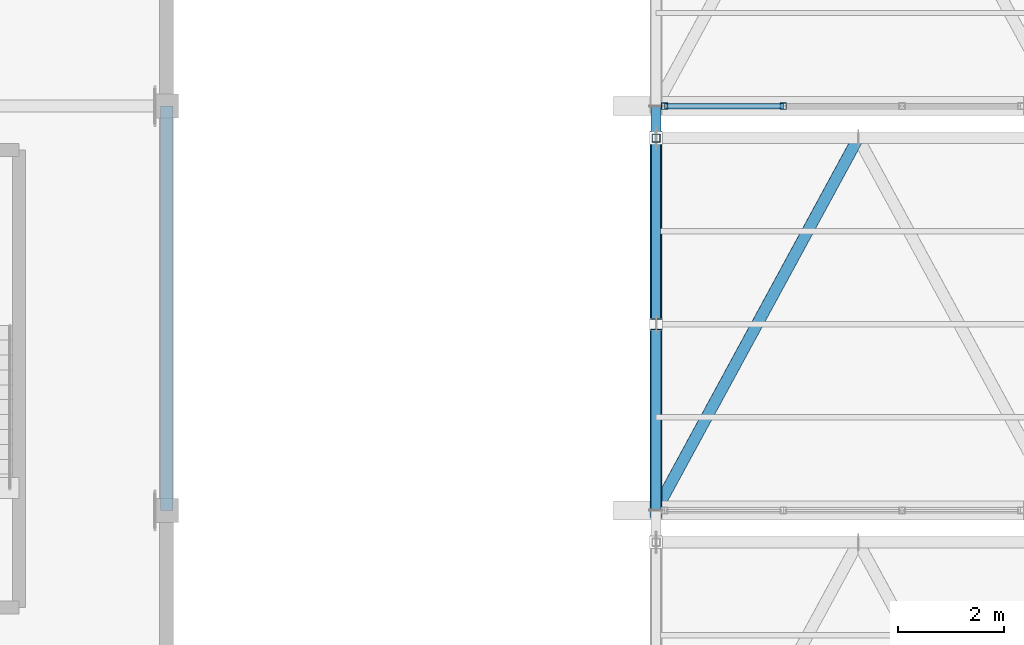
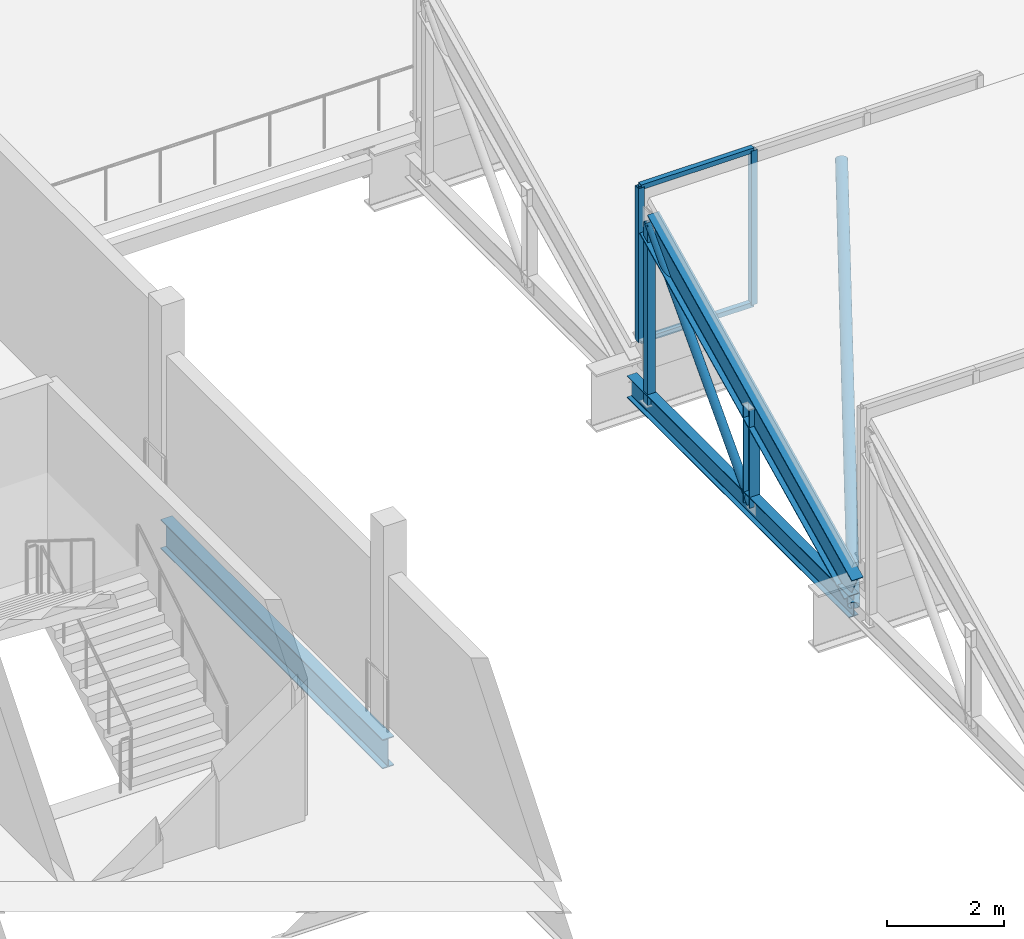
# One storey, part 11 of 57: 10 members, 1 beam, 1 element without a shape of its own.
"""IFC4 building model written with IfcOpenShell, lengths in metres."""

from ifc_helpers import new_model, si_unit, direction, frame, origin, origin_2d, place, context, subcontext, project, spatial, hollow_rectangle, hollow_circle, i_section, extrude, material, material_profile, profile_set, type_object, element, aggregate, save


model = new_model("IFC4")

# Units and contexts
model_context = context("Model", 3, precision=1e-05, world=origin(), true_north=direction((0.0, 1.0)))
body_context = subcontext(model_context, "Body", "Model", "MODEL_VIEW")
ifc_project = project(units=[si_unit("LENGTHUNIT", "METRE"), si_unit("AREAUNIT", "SQUARE_METRE"), si_unit("VOLUMEUNIT", "CUBIC_METRE"), si_unit("PLANEANGLEUNIT", "RADIAN"), si_unit("MASSUNIT", "GRAM", prefix="KILO")], contexts=[model_context])

# Site, building, storey
site_placement = place(None, origin())
site = spatial("IfcSite", under=ifc_project, at=site_placement, CompositionType="ELEMENT")
building_placement = place(site_placement, origin())
building = spatial("IfcBuilding", under=site, at=building_placement, Name="Zuvorla Pavilion Media Centre", CompositionType="ELEMENT")
storey_placement = place(building_placement, frame((0.0, 0.0, 18.0)))
storey = spatial("IfcBuildingStorey", under=building, at=storey_placement, Name="L04", CompositionType="ELEMENT", Elevation=18.0)

# Beam
ifc_material_1 = material(Name="Steel S355", Category="steel")
ifc_material_profile_1 = material_profile(ifc_material_1, i_section(OverallWidth=0.22900390625, OverallDepth=0.6123046875, WebThickness=0.011962890625, FlangeThickness=0.01953125, FilletRadius=0.0126953125, at=origin_2d()), Name="UB 610x229x125")
ifc_profile_set_1 = profile_set([ifc_material_profile_1], Name="Steel S355")
beam_type = type_object("IfcBeamType", Name="BM-UB610", PredefinedType="BEAM", material=ifc_profile_set_1)
beam_placement = place(storey_placement, frame((108.800048828125, 28.800048828125, -0.734130859375), z_axis=(0.0, 1.0, 0.0), x_axis=(-1.0, 0.0, 0.0)))
element("IfcBeam", 1, at=beam_placement, inside=storey, type_object=beam_type, Name="L04 beam B07 1452", PredefinedType="BEAM", context=body_context, shape_type="SweptSolid", body=[
    extrude(i_section(OverallWidth=0.22900390625, OverallDepth=0.6123046875, WebThickness=0.011962890625, FlangeThickness=0.01953125, FilletRadius=0.0126953125, at=origin_2d()), origin(), (0.0, 0.0, 1.0), 7.599853515625),
])

# Curtain wall, members
ifc_material_2 = material(Name="Unitised anodised aluminium and solar glass curtain wall", Category="aluminium")
curtain_wall_type = type_object("IfcCurtainWallType", Name="CW-SYS-90", PredefinedType="USERDEFINED", material=ifc_material_2)
curtain_wall_placement = place(storey_placement, origin())
curtain_wall = element("IfcCurtainWall", 2, at=curtain_wall_placement, inside=storey, type_object=curtain_wall_type, Name="L04 curtain wall CW90 240", ObjectType="CURTAIN WALL", PredefinedType="USERDEFINED")
ifc_material_3 = material(Name="Anodised aluminium 6063-T6", Category="aluminium")
ifc_material_profile_2 = material_profile(ifc_material_3, hollow_rectangle(XDim=0.1201171875, YDim=0.1201171875, WallThickness=0.0048828125, at=origin_2d()), Name="ALU MULL 120x120")
ifc_profile_set_2 = profile_set([ifc_material_profile_2], Name="Anodised aluminium 6063-T6")
member_type_1 = type_object("IfcMemberType", Name="CW-MULL-120", PredefinedType="MULLION", material=ifc_profile_set_2)
member_1_placement = place(storey_placement, frame((118.159912109375, 36.39990234375, 0.0), z_axis=(0.0, 0.0, 1.0), x_axis=(1.0, 0.0, 0.0)))
member_1 = element("IfcMember", 3, at=member_1_placement, type_object=member_type_1, Name="CW90 mullion 1", PredefinedType="MULLION", context=body_context, shape_type="SweptSolid", body=[
    extrude(hollow_rectangle(XDim=0.1201171875, YDim=0.1201171875, WallThickness=0.0048828125, at=origin_2d()), origin(), (0.0, 0.0, 1.0), 3.219970703125),
])
member_2_placement = place(storey_placement, frame((120.391845703125, 36.39990234375, 0.0), z_axis=(0.0, 0.0, 1.0), x_axis=(1.0, 0.0, 0.0)))
member_2 = element("IfcMember", 4, at=member_2_placement, type_object=member_type_1, Name="CW90 mullion 2", PredefinedType="MULLION", context=body_context, shape_type="SweptSolid", body=[
    extrude(hollow_rectangle(XDim=0.1201171875, YDim=0.1201171875, WallThickness=0.0048828125, at=origin_2d()), origin(), (0.0, 0.0, 1.0), 3.219970703125),
])
ifc_material_profile_3 = material_profile(ifc_material_3, hollow_rectangle(XDim=0.10009765625, YDim=0.10009765625, WallThickness=0.00439453125, at=origin_2d()), Name="ALU TRAN 100x100")
ifc_profile_set_3 = profile_set([ifc_material_profile_3], Name="Anodised aluminium 6063-T6")
member_type_2 = type_object("IfcMemberType", Name="CW-TRAN-100", PredefinedType="USERDEFINED", material=ifc_profile_set_3)
member_3_placement = place(storey_placement, frame((118.159912109375, 36.39990234375, 0.0), z_axis=(1.0, 0.0, 0.0), x_axis=(0.0, 1.0, 0.0)))
member_3 = element("IfcMember", 5, at=member_3_placement, type_object=member_type_2, Name="CW90 transom 1.1", ObjectType="TRANSOM", PredefinedType="USERDEFINED", context=body_context, shape_type="SweptSolid", body=[
    extrude(hollow_rectangle(XDim=0.10009765625, YDim=0.10009765625, WallThickness=0.00439453125, at=origin_2d()), origin(), (0.0, 0.0, 1.0), 2.23193359375),
])
member_4_placement = place(storey_placement, frame((118.159912109375, 36.39990234375, 3.219970703125), z_axis=(1.0, 0.0, 0.0), x_axis=(0.0, 1.0, 0.0)))
member_4 = element("IfcMember", 6, at=member_4_placement, type_object=member_type_2, Name="CW90 transom 1.2", ObjectType="TRANSOM", PredefinedType="USERDEFINED", context=body_context, shape_type="SweptSolid", body=[
    extrude(hollow_rectangle(XDim=0.10009765625, YDim=0.10009765625, WallThickness=0.00439453125, at=origin_2d()), origin(), (0.0, 0.0, 1.0), 2.23193359375),
])
aggregate(curtain_wall, [member_1, member_2, member_3, member_4])

# Members
ifc_material_profile_4 = material_profile(ifc_material_1, hollow_circle(Radius=0.084228515625, WallThickness=0.008056640625, at=origin_2d()), Name="CHS 168.3x8")
ifc_profile_set_4 = profile_set([ifc_material_profile_4], Name="Steel S355")
member_type_3 = type_object("IfcMemberType", Name="MEM-BRC-CHS168", PredefinedType="BRACE", material=ifc_profile_set_4)
member_5_placement = place(storey_placement, frame((118.0, 32.300048828125, -0.8798828125), z_axis=(0.0, 0.681156069412, 0.732138244529), x_axis=(-1.0, 0.0, 0.0)))
element("IfcMember", 7, at=member_5_placement, inside=storey, type_object=member_type_3, Name="L04 diagonal brace TB03 681", PredefinedType="BRACE", context=body_context, shape_type="SweptSolid", body=[
    extrude(hollow_circle(Radius=0.084228515625, WallThickness=0.008056640625, at=origin_2d()), origin(), (0.0, 0.0, 1.0), 5.138427734375),
])
ifc_material_profile_5 = material_profile(ifc_material_1, hollow_circle(Radius=0.109619140625, WallThickness=0.010009765625, at=origin_2d()), Name="CHS 219.1x10")
ifc_profile_set_5 = profile_set([ifc_material_profile_5], Name="Steel S355")
member_type_4 = type_object("IfcMemberType", Name="MEM-BRC-CHS219", PredefinedType="BRACE", material=ifc_profile_set_5)
member_6_placement = place(storey_placement, frame((118.0, 28.800048828125, -0.8798828125), z_axis=(0.431398513672, 0.79467126142, 0.427074827958), x_axis=(-0.878850861224, 0.477096597899, 0.0)))
element("IfcMember", 8, at=member_6_placement, inside=storey, type_object=member_type_4, Name="L04 diagonal brace TB02 709", PredefinedType="BRACE", context=body_context, shape_type="SweptSolid", body=[
    extrude(hollow_circle(Radius=0.109619140625, WallThickness=0.010009765625, at=origin_2d()), origin(), (0.0, 0.0, 1.0), 8.80859375),
])
ifc_material_profile_6 = material_profile(ifc_material_1, i_section(OverallWidth=0.19140625, OverallDepth=0.4599609375, WebThickness=0.010009765625, FlangeThickness=0.01611328125, FilletRadius=0.01025390625, at=origin_2d()), Name="UB 457x191x82")
ifc_profile_set_6 = profile_set([ifc_material_profile_6], Name="Steel S355")
member_type_5 = type_object("IfcMemberType", Name="MEM-CHD-UB457", PredefinedType="CHORD", material=ifc_profile_set_6)
member_7_placement = place(storey_placement, frame((118.0, 28.800048828125, -0.8798828125), z_axis=(0.0, 1.0, 0.0), x_axis=(-1.0, 0.0, 0.0)))
element("IfcMember", 9, at=member_7_placement, inside=storey, type_object=member_type_5, Name="L04 chord TC03 678", PredefinedType="CHORD", context=body_context, shape_type="SweptSolid", body=[
    extrude(i_section(OverallWidth=0.19140625, OverallDepth=0.4599609375, WebThickness=0.010009765625, FlangeThickness=0.01611328125, FilletRadius=0.01025390625, at=origin_2d()), origin(), (0.0, 0.0, 1.0), 7.599853515625),
])
ifc_material_profile_7 = material_profile(ifc_material_1, i_section(OverallWidth=0.22900390625, OverallDepth=0.6123046875, WebThickness=0.011962890625, FlangeThickness=0.01953125, FilletRadius=0.0126953125, at=origin_2d()), Name="UB 610x229x125")
ifc_profile_set_7 = profile_set([ifc_material_profile_7], Name="Steel S355")
member_type_6 = type_object("IfcMemberType", Name="MEM-CHD-UB610", PredefinedType="CHORD", material=ifc_profile_set_7)
member_8_placement = place(storey_placement, frame((118.0, 28.800048828125, -0.517822265625), z_axis=(0.0, 0.899513090263, 0.436893809117), x_axis=(-1.0, 0.0, 0.0)))
element("IfcMember", 10, at=member_8_placement, inside=storey, type_object=member_type_6, Name="L04 chord TC01 679", PredefinedType="CHORD", context=body_context, shape_type="SweptSolid", body=[
    extrude(i_section(OverallWidth=0.22900390625, OverallDepth=0.6123046875, WebThickness=0.011962890625, FlangeThickness=0.01953125, FilletRadius=0.0126953125, at=origin_2d()), origin(), (0.0, 0.0, 1.0), 7.781982421875),
])
ifc_material_profile_8 = material_profile(ifc_material_1, hollow_rectangle(XDim=0.14990234375, YDim=0.14990234375, WallThickness=0.008056640625, at=origin_2d()), Name="SHS 150x150x8")
ifc_profile_set_8 = profile_set([ifc_material_profile_8], Name="Steel S355")
member_type_7 = type_object("IfcMemberType", Name="MEM-STR-SHS150", PredefinedType="STRUT", material=ifc_profile_set_8)
member_9_placement = place(storey_placement, frame((118.0, 35.800048828125, -0.8798828125), z_axis=(0.0, 0.0, 1.0), x_axis=(1.0, 0.0, 0.0)))
element("IfcMember", 11, at=member_9_placement, inside=storey, type_object=member_type_7, Name="L04 vertical strut TS01 680", PredefinedType="STRUT", context=body_context, shape_type="SweptSolid", body=[
    extrude(hollow_rectangle(XDim=0.14990234375, YDim=0.14990234375, WallThickness=0.008056640625, at=origin_2d()), origin(), (0.0, 0.0, 1.0), 3.761962890625),
])
ifc_material_profile_9 = material_profile(ifc_material_1, i_section(OverallWidth=0.205810546875, OverallDepth=0.209716796875, WebThickness=0.009521484375, FlangeThickness=0.01416015625, FilletRadius=0.01025390625, at=origin_2d()), Name="UC 203x203x60")
ifc_profile_set_9 = profile_set([ifc_material_profile_9], Name="Steel S355")
member_type_8 = type_object("IfcMemberType", Name="MEM-STR-UC203", PredefinedType="STRUT", material=ifc_profile_set_9)
member_10_placement = place(storey_placement, frame((118.0, 32.300048828125, -0.8798828125), z_axis=(0.0, 0.0, 1.0), x_axis=(1.0, 0.0, 0.0)))
element("IfcMember", 12, at=member_10_placement, inside=storey, type_object=member_type_8, Name="L04 vertical strut TS02 682", PredefinedType="STRUT", context=body_context, shape_type="SweptSolid", body=[
    extrude(i_section(OverallWidth=0.205810546875, OverallDepth=0.209716796875, WebThickness=0.009521484375, FlangeThickness=0.01416015625, FilletRadius=0.01025390625, at=origin_2d()), origin(), (0.0, 0.0, 1.0), 2.06201171875),
])

save(model, "model.ifc")
